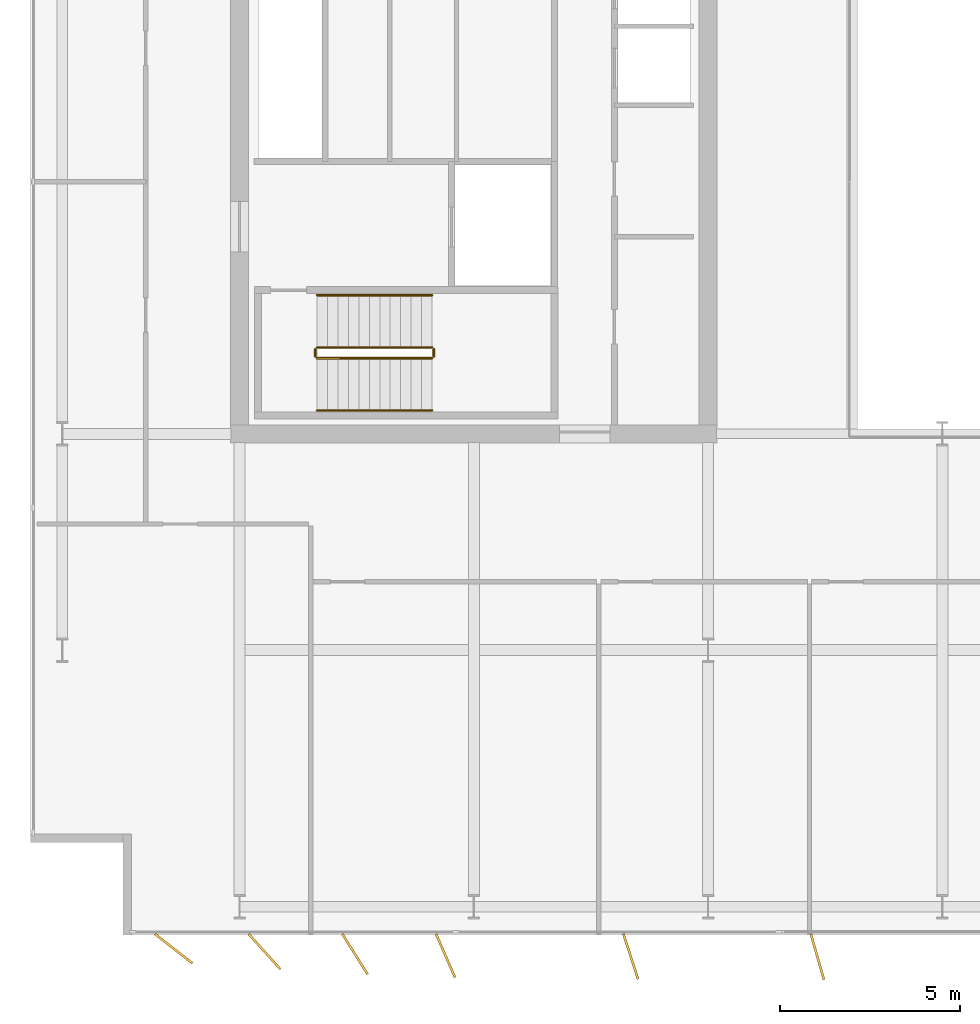
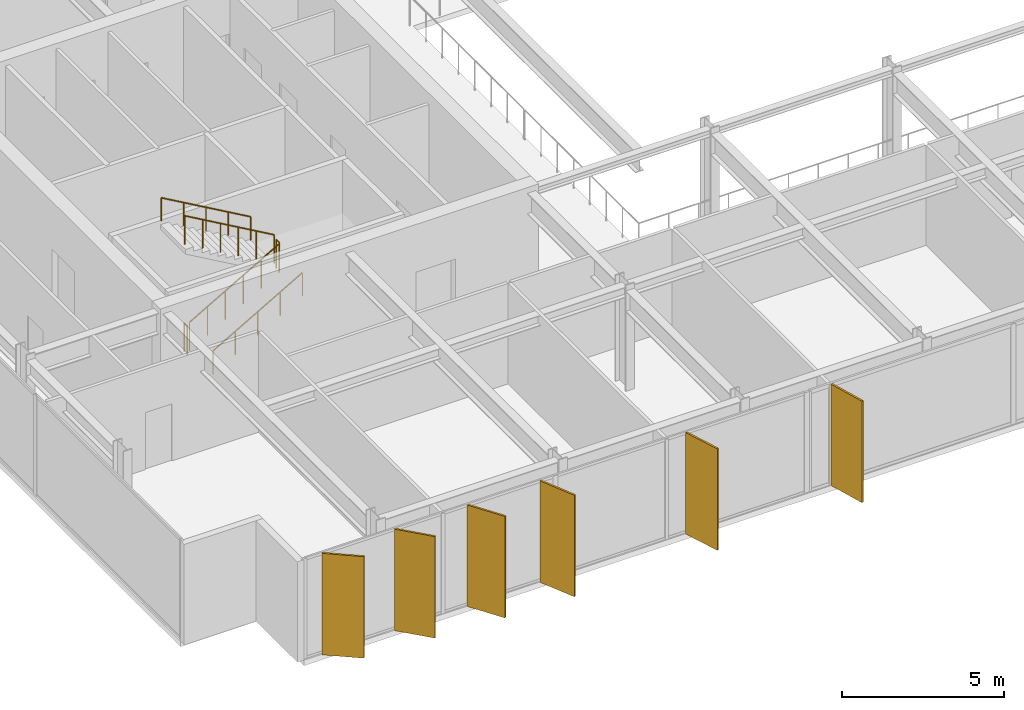
# One storey, part 17 of 20: 6 railings, 6 shading devices.
"""IFC4 building model written with IfcOpenShell, lengths in metres."""

from ifc_helpers import new_model, si_unit, direction, frame, origin, origin_2d, place, context, subcontext, project, spatial, rectangle, circle, extrude, material, layer, layer_set, type_object, element, save


model = new_model("IFC4")

# Units and contexts
model_context = context("Model", 3, precision=1e-05, world=origin(), true_north=direction((0.0, 1.0)))
body_context = subcontext(model_context, "Body", "Model", "MODEL_VIEW")
ifc_project = project(units=[si_unit("LENGTHUNIT", "METRE"), si_unit("AREAUNIT", "SQUARE_METRE"), si_unit("VOLUMEUNIT", "CUBIC_METRE"), si_unit("PLANEANGLEUNIT", "RADIAN"), si_unit("MASSUNIT", "GRAM", prefix="KILO")], contexts=[model_context])

# Site, building, storey
site_placement = place(None, origin())
site = spatial("IfcSite", under=ifc_project, at=site_placement, CompositionType="ELEMENT")
building_placement = place(site_placement, origin())
building = spatial("IfcBuilding", under=site, at=building_placement, Name="Putna Gate Headquarters", CompositionType="ELEMENT")
storey_placement = place(building_placement, frame((0.0, 0.0, 282.39990234375)))
storey = spatial("IfcBuildingStorey", under=building, at=storey_placement, Name="L71", CompositionType="ELEMENT", Elevation=282.39990234375)

# Railings
ifc_material_1 = material(Name="Powder-coated steel stair guardrail", Category="steel")
railing_type_1 = type_object("IfcRailingType", Name="RAIL-STAIR-GUARD-1100", PredefinedType="GUARDRAIL", material=ifc_material_1)
railing_1_placement = place(storey_placement, frame((15.14990234375, 21.10009765625, 0.166748046875)))
element("IfcRailing", 1, at=railing_1_placement, inside=storey, type_object=railing_type_1, Name="L71 ST1 stair guard 1", PredefinedType="GUARDRAIL", context=body_context, shape_type="SweptSolid", body=[
    extrude(circle(Radius=0.02392578125, at=origin_2d()), frame((0.0, 0.0, 1.076171875), z_axis=(0.8670360191, 0.0, 0.498245463184), x_axis=(0.0, 1.0, 0.0)), (0.0, 0.0, 1.0), 3.679443359375),
    extrude(circle(Radius=0.02099609375, at=origin_2d()), origin(), (0.0, 0.0, 1.0), 1.052001953125),
    extrude(circle(Radius=0.02099609375, at=origin_2d()), frame((0.637939453125, 0.0, 0.36669921875)), (0.0, 0.0, 1.0), 1.052001953125),
    extrude(circle(Radius=0.02099609375, at=origin_2d()), frame((1.276123046875, 0.0, 0.7333984375)), (0.0, 0.0, 1.0), 1.052001953125),
    extrude(circle(Radius=0.02099609375, at=origin_2d()), frame((1.9140625, 0.0, 1.099853515625)), (0.0, 0.0, 1.0), 1.052001953125),
    extrude(circle(Radius=0.02099609375, at=origin_2d()), frame((2.55224609375, 0.0, 1.466552734375)), (0.0, 0.0, 1.0), 1.052001953125),
    extrude(circle(Radius=0.02099609375, at=origin_2d()), frame((3.190185546875, 0.0, 1.833251953125)), (0.0, 0.0, 1.0), 1.052001953125),
])
railing_2_placement = place(storey_placement, frame((18.389892578125, 21.14990234375, 2.0)))
element("IfcRailing", 2, at=railing_2_placement, inside=storey, type_object=railing_type_1, Name="L71 ST1 stair guard 2", PredefinedType="GUARDRAIL", context=body_context, shape_type="SweptSolid", body=[
    extrude(circle(Radius=0.02392578125, at=origin_2d()), frame((0.0, 0.0, 1.076171875), z_axis=(0.0, 1.0, 0.0), x_axis=(-1.0, 0.0, 0.0)), (0.0, 0.0, 1.0), 0.2001953125),
    extrude(circle(Radius=0.02099609375, at=origin_2d()), origin(), (0.0, 0.0, 1.0), 1.052001953125),
    extrude(circle(Radius=0.02099609375, at=origin_2d()), frame((0.0, 0.2001953125, 0.0)), (0.0, 0.0, 1.0), 1.052001953125),
])
railing_3_placement = place(storey_placement, frame((18.340087890625, 21.39990234375, 2.166748046875)))
element("IfcRailing", 3, at=railing_3_placement, inside=storey, type_object=railing_type_1, Name="L71 ST1 stair guard 3", PredefinedType="GUARDRAIL", context=body_context, shape_type="SweptSolid", body=[
    extrude(circle(Radius=0.02392578125, at=origin_2d()), frame((0.0, 0.0, 1.076171875), z_axis=(-0.8670360191, 0.0, 0.498245463184), x_axis=(0.0, -1.0, 0.0)), (0.0, 0.0, 1.0), 3.679443359375),
    extrude(circle(Radius=0.02099609375, at=origin_2d()), origin(), (0.0, 0.0, 1.0), 1.052001953125),
    extrude(circle(Radius=0.02099609375, at=origin_2d()), frame((-0.637939453125, 0.0, 0.36669921875)), (0.0, 0.0, 1.0), 1.052001953125),
    extrude(circle(Radius=0.02099609375, at=origin_2d()), frame((-1.276123046875, 0.0, 0.7333984375)), (0.0, 0.0, 1.0), 1.052001953125),
    extrude(circle(Radius=0.02099609375, at=origin_2d()), frame((-1.9140625, 0.0, 1.099853515625)), (0.0, 0.0, 1.0), 1.052001953125),
    extrude(circle(Radius=0.02099609375, at=origin_2d()), frame((-2.55224609375, 0.0, 1.466552734375)), (0.0, 0.0, 1.0), 1.052001953125),
    extrude(circle(Radius=0.02099609375, at=origin_2d()), frame((-3.190185546875, 0.0, 1.833251953125)), (0.0, 0.0, 1.0), 1.052001953125),
])
railing_4_placement = place(storey_placement, frame((15.10009765625, 21.14990234375, 0.0)))
element("IfcRailing", 4, at=railing_4_placement, inside=storey, type_object=railing_type_1, Name="L71 ST1 stair guard 4", PredefinedType="GUARDRAIL", context=body_context, shape_type="SweptSolid", body=[
    extrude(circle(Radius=0.02392578125, at=origin_2d()), frame((0.0, 0.0, 1.076171875), z_axis=(0.0, 1.0, 0.0), x_axis=(-1.0, 0.0, 0.0)), (0.0, 0.0, 1.0), 0.2001953125),
    extrude(circle(Radius=0.02099609375, at=origin_2d()), origin(), (0.0, 0.0, 1.0), 1.052001953125),
    extrude(circle(Radius=0.02099609375, at=origin_2d()), frame((0.0, 0.2001953125, 0.0)), (0.0, 0.0, 1.0), 1.052001953125),
])
ifc_material_2 = material(Name="Brushed stainless steel handrail", Category="steel")
railing_type_2 = type_object("IfcRailingType", Name="RAIL-STAIR-HAND-900", PredefinedType="HANDRAIL", material=ifc_material_2)
railing_5_placement = place(storey_placement, frame((15.14990234375, 19.64990234375, 0.166748046875)))
element("IfcRailing", 5, at=railing_5_placement, inside=storey, type_object=railing_type_2, Name="L71 ST1 stair handrail 1", PredefinedType="HANDRAIL", context=body_context, shape_type="SweptSolid", body=[
    extrude(circle(Radius=0.02392578125, at=origin_2d()), frame((0.0, 0.0, 0.8759765625), z_axis=(0.8670360191, 0.0, 0.498245463184), x_axis=(0.0, 1.0, 0.0)), (0.0, 0.0, 1.0), 3.679443359375),
    extrude(circle(Radius=0.02099609375, at=origin_2d()), origin(), (0.0, 0.0, 1.0), 0.851806640625),
    extrude(circle(Radius=0.02099609375, at=origin_2d()), frame((0.797607421875, 0.0, 0.458251953125)), (0.0, 0.0, 1.0), 0.851806640625),
    extrude(circle(Radius=0.02099609375, at=origin_2d()), frame((1.59521484375, 0.0, 0.91650390625)), (0.0, 0.0, 1.0), 0.851806640625),
    extrude(circle(Radius=0.02099609375, at=origin_2d()), frame((2.392578125, 0.0, 1.375)), (0.0, 0.0, 1.0), 0.851806640625),
    extrude(circle(Radius=0.02099609375, at=origin_2d()), frame((3.190185546875, 0.0, 1.833251953125)), (0.0, 0.0, 1.0), 0.851806640625),
])
railing_6_placement = place(storey_placement, frame((18.340087890625, 22.85009765625, 2.166748046875)))
element("IfcRailing", 6, at=railing_6_placement, inside=storey, type_object=railing_type_2, Name="L71 ST1 stair handrail 2", PredefinedType="HANDRAIL", context=body_context, shape_type="SweptSolid", body=[
    extrude(circle(Radius=0.02392578125, at=origin_2d()), frame((0.0, 0.0, 0.8759765625), z_axis=(-0.8670360191, 0.0, 0.498245463184), x_axis=(0.0, -1.0, 0.0)), (0.0, 0.0, 1.0), 3.679443359375),
    extrude(circle(Radius=0.02099609375, at=origin_2d()), origin(), (0.0, 0.0, 1.0), 0.851806640625),
    extrude(circle(Radius=0.02099609375, at=origin_2d()), frame((-0.797607421875, 0.0, 0.458251953125)), (0.0, 0.0, 1.0), 0.851806640625),
    extrude(circle(Radius=0.02099609375, at=origin_2d()), frame((-1.59521484375, 0.0, 0.91650390625)), (0.0, 0.0, 1.0), 0.851806640625),
    extrude(circle(Radius=0.02099609375, at=origin_2d()), frame((-2.392578125, 0.0, 1.375)), (0.0, 0.0, 1.0), 0.851806640625),
    extrude(circle(Radius=0.02099609375, at=origin_2d()), frame((-3.190185546875, 0.0, 1.833251953125)), (0.0, 0.0, 1.0), 0.851806640625),
])

# Shading devices
ifc_material_3 = material(Name="Anodised architectural bronze aluminium fin", Category="aluminium")
ifc_layer = layer(ifc_material_3, 0.06494140625)
ifc_layer_set = layer_set([ifc_layer], Name="Anodised architectural bronze aluminium fin")
shading_device_type = type_object("IfcShadingDeviceType", Name="SHADE-BRONZE-FIN-1320", PredefinedType="USERDEFINED", material=ifc_layer_set)
for number, where, z_axis, x_axis, name in (
    (7, (11.169677734375, 4.71826171875, -0.02001953125), (0.0, 0.0, 1.0), (0.787473187632, -0.616348909921, 0.0), "L71 Bronze Vertical Shading Fin S1"),
    (8, (13.691650390625, 4.634521484375, -0.02001953125), (0.0, 0.0, 1.0), (0.669130606359, -0.743144825477, 0.0), "L71 Bronze Vertical Shading Fin S2"),
    (9, (16.2001953125, 4.565673828125, -0.02001953125), (0.0, 0.0, 1.0), (0.530659123936, -0.847585331506, 0.0), "L71 Bronze Vertical Shading Fin S3"),
    (10, (18.71435546875, 4.520263671875, -0.02001953125), (0.0, 0.0, 1.0), (0.400668879095, -0.916222925562, 0.0), "L71 Bronze Vertical Shading Fin S4"),
    (11, (23.853759765625, 4.497314453125, -0.02001953125), (0.0, 0.0, 1.0), (0.308684994204, -0.951164325631, 0.0), "L71 Bronze Vertical Shading Fin S5"),
    (12, (29.031982421875, 4.490478515625, -0.02001953125), (0.0, 0.0, 1.0), (0.275637355817, -0.961261695938, 0.0), "L71 Bronze Vertical Shading Fin S6"),
):
    element("IfcShadingDevice", number, at=place(storey_placement, frame(where, z_axis=z_axis, x_axis=x_axis)), inside=storey, type_object=shading_device_type, Name=name, ObjectType="FIN", PredefinedType="USERDEFINED", context=body_context, shape_type="SweptSolid", body=[
        extrude(rectangle(XDim=1.320068359375, YDim=0.06494140625, at=origin_2d()), origin(), (0.0, 0.0, 1.0), 3.827880859375),
    ])

save(model, "model.ifc")
